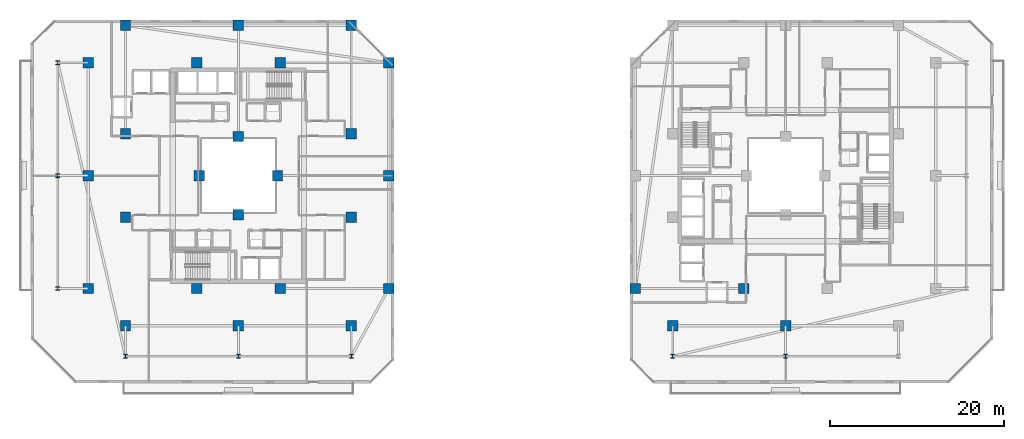
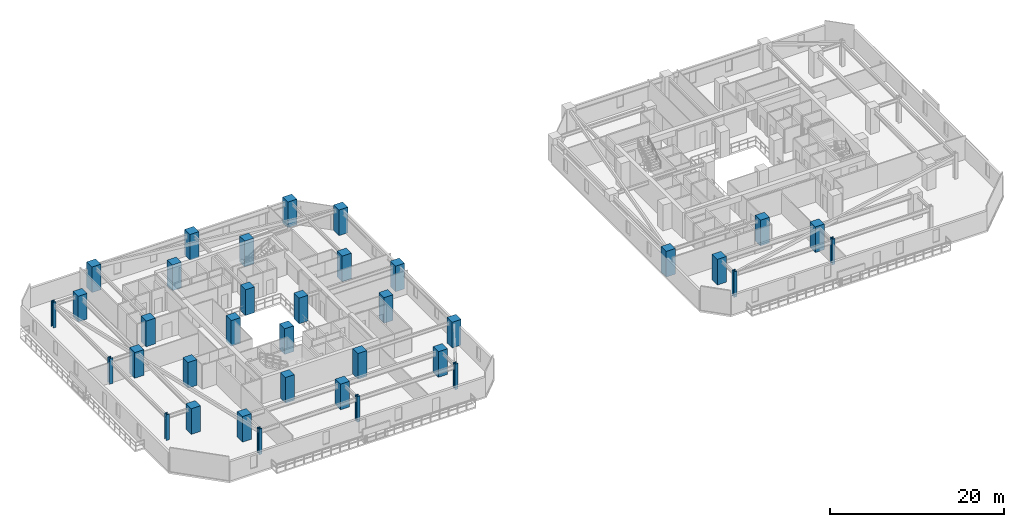
# One storey, part 1 of 33: 36 columns.
"""IFC4 building model written with IfcOpenShell, lengths in metres."""

from ifc_helpers import new_model, si_unit, direction, frame, origin, origin_2d, place, context, subcontext, project, spatial, rectangle, i_section, extrude, material, material_profile, profile_set, type_object, element, save


model = new_model("IFC4")

# Units and contexts
model_context = context("Model", 3, precision=1e-05, world=origin(), true_north=direction((0.0, 1.0)))
body_context = subcontext(model_context, "Body", "Model", "MODEL_VIEW")
ifc_project = project(units=[si_unit("LENGTHUNIT", "METRE"), si_unit("AREAUNIT", "SQUARE_METRE"), si_unit("VOLUMEUNIT", "CUBIC_METRE"), si_unit("PLANEANGLEUNIT", "RADIAN"), si_unit("MASSUNIT", "GRAM", prefix="KILO")], contexts=[model_context])

# Site, building, storey
site_placement = place(None, origin())
site = spatial("IfcSite", under=ifc_project, at=site_placement, CompositionType="ELEMENT")
building_placement = place(site_placement, origin())
building = spatial("IfcBuilding", under=site, at=building_placement, Name="Thornwick Lancets Civic Towers", CompositionType="ELEMENT")
storey_placement = place(building_placement, frame((0.0, 0.0, 134.10009765625)))
storey = spatial("IfcBuildingStorey", under=building, at=storey_placement, Name="L35", CompositionType="ELEMENT", Elevation=134.10009765625)

# Columns
ifc_material_1 = material(Name="Concrete C60/75", Category="concrete")
ifc_material_profile_1 = material_profile(ifc_material_1, rectangle(XDim=1.199951171875, YDim=1.199951171875, at=origin_2d()), Name="RC 1200x1200")
ifc_profile_set_1 = profile_set([ifc_material_profile_1], Name="Concrete C60/75")
column_type_1 = type_object("IfcColumnType", Name="COL_RC_1200", PredefinedType="COLUMN", material=ifc_profile_set_1)
for number, where, z_axis, x_axis, name in (
    (1, (12.5, 9.699951171875, 0.0), (0.0, 0.0, 1.0), (1.0, 0.0, 0.0), "L35 Spine Mega-Column A01"),
    (2, (25.5, 9.699951171875, 0.0), (0.0, 0.0, 1.0), (1.0, 0.0, 0.0), "L35 Spine Mega-Column A02"),
    (3, (38.5, 9.699951171875, 0.0), (0.0, 0.0, 1.0), (1.0, 0.0, 0.0), "L35 Spine Mega-Column A03"),
    (4, (42.800048828125, 14.0, 0.0), (0.0, 0.0, 1.0), (1.0, 0.0, 0.0), "L35 Spine Mega-Column A04"),
    (5, (42.800048828125, 27.0, 0.0), (0.0, 0.0, 1.0), (1.0, 0.0, 0.0), "L35 Spine Mega-Column A05"),
    (6, (42.800048828125, 40.0, 0.0), (0.0, 0.0, 1.0), (1.0, 0.0, 0.0), "L35 Spine Mega-Column A06"),
    (7, (12.5, 44.300048828125, 0.0), (0.0, 0.0, 1.0), (1.0, 0.0, 0.0), "L35 Spine Mega-Column A07"),
    (8, (25.5, 44.300048828125, 0.0), (0.0, 0.0, 1.0), (1.0, 0.0, 0.0), "L35 Spine Mega-Column A08"),
    (9, (38.5, 44.300048828125, 0.0), (0.0, 0.0, 1.0), (1.0, 0.0, 0.0), "L35 Spine Mega-Column A09"),
    (10, (8.199951171875, 14.0, 0.0), (0.0, 0.0, 1.0), (1.0, 0.0, 0.0), "L35 Spine Mega-Column A10"),
    (11, (8.199951171875, 27.0, 0.0), (0.0, 0.0, 1.0), (1.0, 0.0, 0.0), "L35 Spine Mega-Column A11"),
    (12, (8.199951171875, 40.0, 0.0), (0.0, 0.0, 1.0), (1.0, 0.0, 0.0), "L35 Spine Mega-Column A12"),
    (13, (12.5, 22.199951171875, 0.0), (0.0, 0.0, 1.0), (1.0, 0.0, 0.0), "L35 Spine Mega-Column A13"),
    (14, (38.5, 22.199951171875, 0.0), (0.0, 0.0, 1.0), (1.0, 0.0, 0.0), "L35 Spine Mega-Column A14"),
    (15, (12.5, 31.800048828125, 0.0), (0.0, 0.0, 1.0), (1.0, 0.0, 0.0), "L35 Spine Mega-Column A15"),
    (16, (38.5, 31.800048828125, 0.0), (0.0, 0.0, 1.0), (1.0, 0.0, 0.0), "L35 Spine Mega-Column A16"),
    (17, (20.699951171875, 14.0, 0.0), (0.0, 0.0, 1.0), (1.0, 0.0, 0.0), "L35 Spine Mega-Column A17"),
    (18, (30.300048828125, 14.0, 0.0), (0.0, 0.0, 1.0), (1.0, 0.0, 0.0), "L35 Spine Mega-Column A18"),
    (19, (20.699951171875, 40.0, 0.0), (0.0, 0.0, 1.0), (1.0, 0.0, 0.0), "L35 Spine Mega-Column A19"),
    (20, (30.300048828125, 40.0, 0.0), (0.0, 0.0, 1.0), (1.0, 0.0, 0.0), "L35 Spine Mega-Column A20"),
    (21, (25.5, 22.5, 0.0), (0.0, 0.0, 1.0), (1.0, 0.0, 0.0), "L35 Spine Mega-Column A21"),
    (22, (25.5, 31.5, 0.0), (0.0, 0.0, 1.0), (1.0, 0.0, 0.0), "L35 Spine Mega-Column A22"),
    (23, (21.0, 27.0, 0.0), (0.0, 0.0, 1.0), (1.0, 0.0, 0.0), "L35 Spine Mega-Column A23"),
    (24, (30.0, 27.0, 0.0), (0.0, 0.0, 1.0), (1.0, 0.0, 0.0), "L35 Spine Mega-Column A24"),
    (25, (71.199951171875, 14.0, 0.0), (0.0, 0.0, 1.0), (1.0, 0.0, 0.0), "L35 Spine Mega-Column B07"),
    (26, (88.5, 9.699951171875, 0.0), (0.0, 0.0, 1.0), (1.0, 0.0, 0.0), "L35 Spine Mega-Column B11"),
    (27, (75.5, 9.699951171875, 0.0), (0.0, 0.0, 1.0), (1.0, 0.0, 0.0), "L35 Spine Mega-Column B12"),
    (28, (83.699951171875, 14.0, 0.0), (0.0, 0.0, 1.0), (1.0, 0.0, 0.0), "L35 Spine Mega-Column B15"),
):
    element("IfcColumn", number, at=place(storey_placement, frame(where, z_axis=z_axis, x_axis=x_axis)), inside=storey, type_object=column_type_1, Name=name, PredefinedType="COLUMN", context=body_context, shape_type="SweptSolid", body=[
        extrude(rectangle(XDim=1.199951171875, YDim=1.199951171875, at=origin_2d()), origin(), (0.0, 0.0, 1.0), 3.599853515625),
    ])
ifc_material_2 = material(Name="Steel S460M", Category="steel")
ifc_material_profile_2 = material_profile(ifc_material_2, i_section(OverallWidth=0.41845703125, OverallDepth=0.45556640625, WebThickness=0.0419921875, FlangeThickness=0.0673828125, FilletRadius=0.01513671875, at=origin_2d()), Name="UKC 356x406x551")
ifc_profile_set_2 = profile_set([ifc_material_profile_2], Name="Steel S460M")
column_type_2 = type_object("IfcColumnType", Name="COL_UKC_551", PredefinedType="COLUMN", material=ifc_profile_set_2)
for number, where, z_axis, x_axis, name in (
    (29, (12.5, 6.199951171875, 0.0), (0.0, 0.0, 1.0), (1.0, 0.0, 0.0), "L35 Block Perimeter Column A01"),
    (30, (25.5, 6.199951171875, 0.0), (0.0, 0.0, 1.0), (1.0, 0.0, 0.0), "L35 Block Perimeter Column A02"),
    (31, (38.5, 6.199951171875, 0.0), (0.0, 0.0, 1.0), (1.0, 0.0, 0.0), "L35 Block Perimeter Column A03"),
    (32, (4.699951171875, 14.0, 0.0), (0.0, 0.0, 1.0), (1.0, 0.0, 0.0), "L35 Block Perimeter Column A10"),
    (33, (4.699951171875, 27.0, 0.0), (0.0, 0.0, 1.0), (1.0, 0.0, 0.0), "L35 Block Perimeter Column A11"),
    (34, (4.699951171875, 40.0, 0.0), (0.0, 0.0, 1.0), (1.0, 0.0, 0.0), "L35 Block Perimeter Column A12"),
    (35, (88.5, 6.199951171875, 0.0), (0.0, 0.0, 1.0), (1.0, 0.0, 0.0), "L35 Block Perimeter Column B11"),
    (36, (75.5, 6.199951171875, 0.0), (0.0, 0.0, 1.0), (1.0, 0.0, 0.0), "L35 Block Perimeter Column B12"),
):
    element("IfcColumn", number, at=place(storey_placement, frame(where, z_axis=z_axis, x_axis=x_axis)), inside=storey, type_object=column_type_2, Name=name, PredefinedType="COLUMN", context=body_context, shape_type="SweptSolid", body=[
        extrude(i_section(OverallWidth=0.41845703125, OverallDepth=0.45556640625, WebThickness=0.0419921875, FlangeThickness=0.0673828125, FilletRadius=0.01513671875, at=origin_2d()), origin(), (0.0, 0.0, 1.0), 3.599853515625),
    ])

save(model, "model.ifc")
